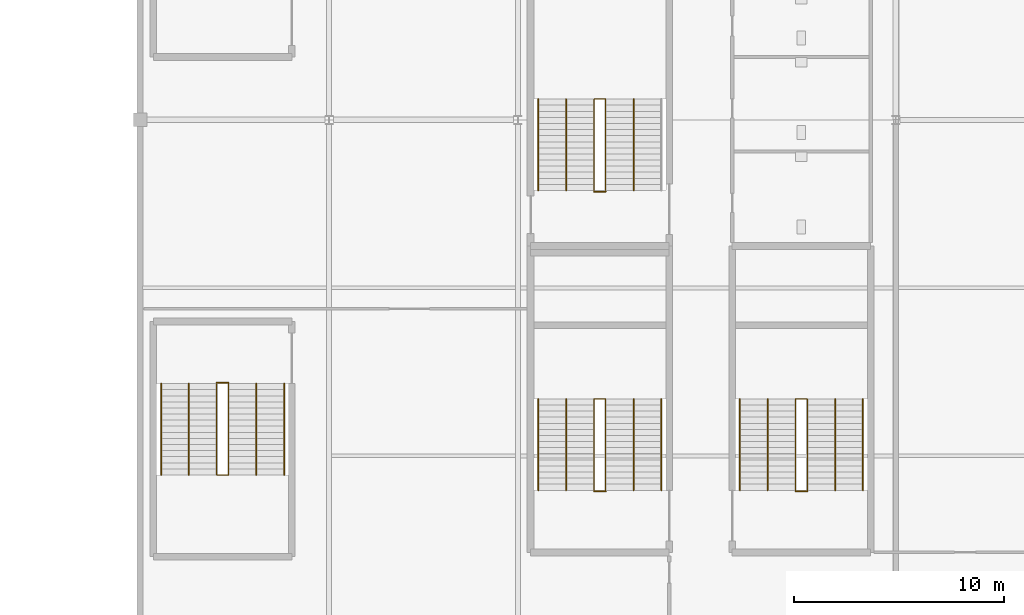
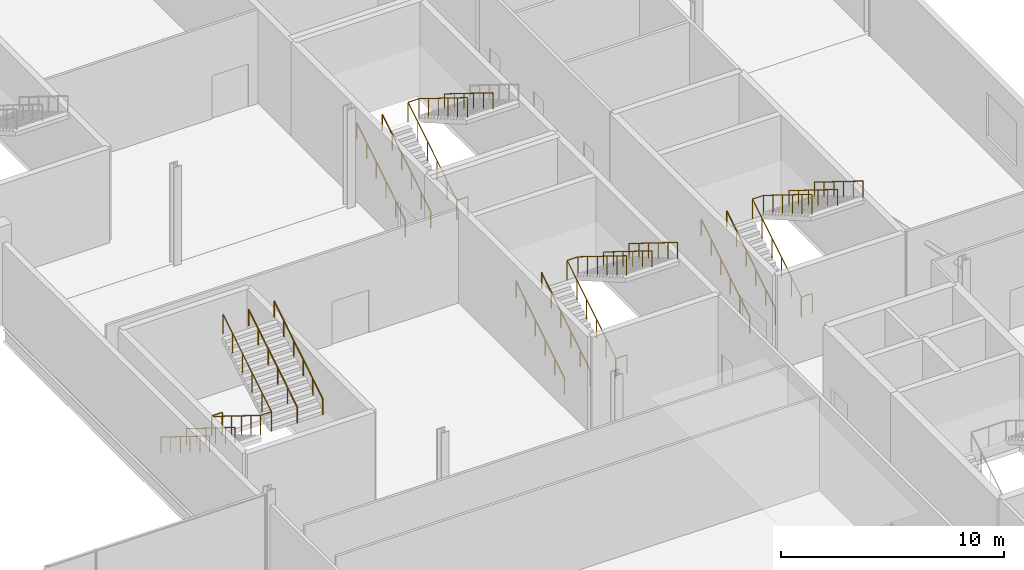
# One storey, part 106 of 111: 23 railings.
"""IFC4 building model written with IfcOpenShell, lengths in metres."""

from ifc_helpers import new_model, si_unit, direction, frame, origin, origin_2d, place, context, subcontext, project, spatial, circle, extrude, material, type_object, element, save


model = new_model("IFC4")

# Units and contexts
model_context = context("Model", 3, precision=1e-05, world=origin(), true_north=direction((0.0, 1.0)))
body_context = subcontext(model_context, "Body", "Model", "MODEL_VIEW")
ifc_project = project(units=[si_unit("LENGTHUNIT", "METRE"), si_unit("AREAUNIT", "SQUARE_METRE"), si_unit("VOLUMEUNIT", "CUBIC_METRE"), si_unit("PLANEANGLEUNIT", "RADIAN"), si_unit("MASSUNIT", "GRAM", prefix="KILO")], contexts=[model_context])

# Site, building, storey
site_placement = place(None, origin())
site = spatial("IfcSite", under=ifc_project, at=site_placement, CompositionType="ELEMENT")
building_placement = place(site_placement, origin())
building = spatial("IfcBuilding", under=site, at=building_placement, Name="Kisiwana Market Hall", CompositionType="ELEMENT")
storey_placement = place(building_placement, frame((0.0, 0.0, 11.39990234375)))
storey = spatial("IfcBuildingStorey", under=building, at=storey_placement, Name="L02", CompositionType="ELEMENT", Elevation=11.39990234375)

# Railings
ifc_material_1 = material(Name="Steel S275", Category="steel")
railing_type_1 = type_object("IfcRailingType", Name="RL-GUARD-1100", PredefinedType="GUARDRAIL", material=ifc_material_1)
railing_1_placement = place(storey_placement, frame((184.219970703125, 42.360107421875, 0.0)))
element("IfcRailing", 1, at=railing_1_placement, inside=storey, type_object=railing_type_1, Name="Stair ST-E3-L02 inner-well guardrail (RL-519)", PredefinedType="GUARDRAIL", context=body_context, shape_type="SweptSolid", body=[
    extrude(circle(Radius=0.02392578125, at=origin_2d()), frame((0.0, 0.0, 1.076171875), z_axis=(0.0, 0.849615114927, 0.52740322002), x_axis=(-1.0, 0.0, 0.0)), (0.0, 0.0, 1.0), 5.119873046875),
    extrude(circle(Radius=0.02392578125, at=origin_2d()), frame((0.0, 4.349853515625, 3.7763671875), z_axis=(1.0, 0.0, 0.0), x_axis=(0.0, 1.0, 0.0)), (0.0, 0.0, 1.0), 0.56005859375),
    extrude(circle(Radius=0.02392578125, at=origin_2d()), frame((0.56005859375, 4.349853515625, 3.7763671875), z_axis=(0.0, -0.849636482215, 0.527368797038), x_axis=(1.0, 0.0, 0.0)), (0.0, 0.0, 1.0), 5.11962890625),
    extrude(circle(Radius=0.02099609375, at=origin_2d()), origin(), (0.0, 0.0, 1.0), 1.052001953125),
    extrude(circle(Radius=0.02099609375, at=origin_2d()), frame((0.0, 0.869873046875, 0.5400390625)), (0.0, 0.0, 1.0), 1.052001953125),
    extrude(circle(Radius=0.02099609375, at=origin_2d()), frame((0.0, 1.739990234375, 1.080078125)), (0.0, 0.0, 1.0), 1.052001953125),
    extrude(circle(Radius=0.02099609375, at=origin_2d()), frame((0.0, 2.60986328125, 1.6201171875)), (0.0, 0.0, 1.0), 1.052001953125),
    extrude(circle(Radius=0.02099609375, at=origin_2d()), frame((0.0, 3.47998046875, 2.16015625)), (0.0, 0.0, 1.0), 1.052001953125),
    extrude(circle(Radius=0.02099609375, at=origin_2d()), frame((0.0, 4.349853515625, 2.7001953125)), (0.0, 0.0, 1.0), 1.052001953125),
    extrude(circle(Radius=0.02099609375, at=origin_2d()), frame((0.56005859375, 4.349853515625, 2.7001953125)), (0.0, 0.0, 1.0), 1.052001953125),
    extrude(circle(Radius=0.02099609375, at=origin_2d()), frame((0.56005859375, 3.47998046875, 3.240234375)), (0.0, 0.0, 1.0), 1.052001953125),
    extrude(circle(Radius=0.02099609375, at=origin_2d()), frame((0.56005859375, 2.60986328125, 3.7802734375)), (0.0, 0.0, 1.0), 1.052001953125),
    extrude(circle(Radius=0.02099609375, at=origin_2d()), frame((0.56005859375, 1.739990234375, 4.320068359375)), (0.0, 0.0, 1.0), 1.052001953125),
    extrude(circle(Radius=0.02099609375, at=origin_2d()), frame((0.56005859375, 0.869873046875, 4.860107421875)), (0.0, 0.0, 1.0), 1.052001953125),
    extrude(circle(Radius=0.02099609375, at=origin_2d()), frame((0.56005859375, 0.0, 5.400146484375)), (0.0, 0.0, 1.0), 1.052001953125),
])
railing_2_placement = place(storey_placement, frame((184.219970703125, 42.31005859375, 0.0)))
element("IfcRailing", 2, at=railing_2_placement, inside=storey, type_object=railing_type_1, Name="Stair ST-E3-L02 landing edge guardrail (RL-524)", PredefinedType="GUARDRAIL", context=body_context, shape_type="SweptSolid", body=[
    extrude(circle(Radius=0.02392578125, at=origin_2d()), frame((0.0, 0.0, 1.076171875), z_axis=(1.0, 0.0, 0.0), x_axis=(0.0, 1.0, 0.0)), (0.0, 0.0, 1.0), 0.56005859375),
    extrude(circle(Radius=0.02099609375, at=origin_2d()), origin(), (0.0, 0.0, 1.0), 1.052001953125),
    extrude(circle(Radius=0.02099609375, at=origin_2d()), frame((0.56005859375, 0.0, 0.0)), (0.0, 0.0, 1.0), 1.052001953125),
])
railing_3_placement = place(storey_placement, frame((174.6201171875, 42.360107421875, 0.0)))
element("IfcRailing", 3, at=railing_3_placement, inside=storey, type_object=railing_type_1, Name="Stair ST-E7-L02 inner-well guardrail (RL-537)", PredefinedType="GUARDRAIL", context=body_context, shape_type="SweptSolid", body=[
    extrude(circle(Radius=0.02392578125, at=origin_2d()), frame((0.0, 0.0, 1.076171875), z_axis=(0.0, 0.849615114927, 0.52740322002), x_axis=(-1.0, 0.0, 0.0)), (0.0, 0.0, 1.0), 5.119873046875),
    extrude(circle(Radius=0.02392578125, at=origin_2d()), frame((0.0, 4.349853515625, 3.7763671875), z_axis=(1.0, 0.0, 0.0), x_axis=(0.0, 1.0, 0.0)), (0.0, 0.0, 1.0), 0.559814453125),
    extrude(circle(Radius=0.02392578125, at=origin_2d()), frame((0.559814453125, 4.349853515625, 3.7763671875), z_axis=(0.0, -0.849636482215, 0.527368797038), x_axis=(1.0, 0.0, 0.0)), (0.0, 0.0, 1.0), 5.11962890625),
    extrude(circle(Radius=0.02099609375, at=origin_2d()), origin(), (0.0, 0.0, 1.0), 1.052001953125),
    extrude(circle(Radius=0.02099609375, at=origin_2d()), frame((0.0, 0.869873046875, 0.5400390625)), (0.0, 0.0, 1.0), 1.052001953125),
    extrude(circle(Radius=0.02099609375, at=origin_2d()), frame((0.0, 1.739990234375, 1.080078125)), (0.0, 0.0, 1.0), 1.052001953125),
    extrude(circle(Radius=0.02099609375, at=origin_2d()), frame((0.0, 2.60986328125, 1.6201171875)), (0.0, 0.0, 1.0), 1.052001953125),
    extrude(circle(Radius=0.02099609375, at=origin_2d()), frame((0.0, 3.47998046875, 2.16015625)), (0.0, 0.0, 1.0), 1.052001953125),
    extrude(circle(Radius=0.02099609375, at=origin_2d()), frame((0.0, 4.349853515625, 2.7001953125)), (0.0, 0.0, 1.0), 1.052001953125),
    extrude(circle(Radius=0.02099609375, at=origin_2d()), frame((0.559814453125, 4.349853515625, 2.7001953125)), (0.0, 0.0, 1.0), 1.052001953125),
    extrude(circle(Radius=0.02099609375, at=origin_2d()), frame((0.559814453125, 3.47998046875, 3.240234375)), (0.0, 0.0, 1.0), 1.052001953125),
    extrude(circle(Radius=0.02099609375, at=origin_2d()), frame((0.559814453125, 2.60986328125, 3.7802734375)), (0.0, 0.0, 1.0), 1.052001953125),
    extrude(circle(Radius=0.02099609375, at=origin_2d()), frame((0.559814453125, 1.739990234375, 4.320068359375)), (0.0, 0.0, 1.0), 1.052001953125),
    extrude(circle(Radius=0.02099609375, at=origin_2d()), frame((0.559814453125, 0.869873046875, 4.860107421875)), (0.0, 0.0, 1.0), 1.052001953125),
    extrude(circle(Radius=0.02099609375, at=origin_2d()), frame((0.559814453125, 0.0, 5.400146484375)), (0.0, 0.0, 1.0), 1.052001953125),
])
railing_4_placement = place(storey_placement, frame((174.6201171875, 42.31005859375, 0.0)))
element("IfcRailing", 4, at=railing_4_placement, inside=storey, type_object=railing_type_1, Name="Stair ST-E7-L02 landing edge guardrail (RL-542)", PredefinedType="GUARDRAIL", context=body_context, shape_type="SweptSolid", body=[
    extrude(circle(Radius=0.02392578125, at=origin_2d()), frame((0.0, 0.0, 1.076171875), z_axis=(1.0, 0.0, 0.0), x_axis=(0.0, 1.0, 0.0)), (0.0, 0.0, 1.0), 0.559814453125),
    extrude(circle(Radius=0.02099609375, at=origin_2d()), origin(), (0.0, 0.0, 1.0), 1.052001953125),
    extrude(circle(Radius=0.02099609375, at=origin_2d()), frame((0.559814453125, 0.0, 0.0)), (0.0, 0.0, 1.0), 1.052001953125),
])
railing_5_placement = place(storey_placement, frame((156.64990234375, 47.43994140625, 0.0)))
element("IfcRailing", 5, at=railing_5_placement, inside=storey, type_object=railing_type_1, Name="Stair ST-E9-L02 inner-well guardrail (RL-561)", PredefinedType="GUARDRAIL", context=body_context, shape_type="SweptSolid", body=[
    extrude(circle(Radius=0.02392578125, at=origin_2d()), frame((0.0, 0.0, 1.076171875), z_axis=(0.0, -0.849615114927, 0.52740322002), x_axis=(1.0, 0.0, 0.0)), (0.0, 0.0, 1.0), 5.119873046875),
    extrude(circle(Radius=0.02392578125, at=origin_2d()), frame((0.0, -4.349853515625, 3.7763671875), z_axis=(1.0, 0.0, 0.0), x_axis=(0.0, 1.0, 0.0)), (0.0, 0.0, 1.0), 0.56005859375),
    extrude(circle(Radius=0.02392578125, at=origin_2d()), frame((0.56005859375, -4.349853515625, 3.7763671875), z_axis=(0.0, 0.849636482215, 0.527368797038), x_axis=(-1.0, 0.0, 0.0)), (0.0, 0.0, 1.0), 5.11962890625),
    extrude(circle(Radius=0.02099609375, at=origin_2d()), origin(), (0.0, 0.0, 1.0), 1.052001953125),
    extrude(circle(Radius=0.02099609375, at=origin_2d()), frame((0.0, -0.869873046875, 0.5400390625)), (0.0, 0.0, 1.0), 1.052001953125),
    extrude(circle(Radius=0.02099609375, at=origin_2d()), frame((0.0, -1.739990234375, 1.080078125)), (0.0, 0.0, 1.0), 1.052001953125),
    extrude(circle(Radius=0.02099609375, at=origin_2d()), frame((0.0, -2.60986328125, 1.6201171875)), (0.0, 0.0, 1.0), 1.052001953125),
    extrude(circle(Radius=0.02099609375, at=origin_2d()), frame((0.0, -3.47998046875, 2.16015625)), (0.0, 0.0, 1.0), 1.052001953125),
    extrude(circle(Radius=0.02099609375, at=origin_2d()), frame((0.0, -4.349853515625, 2.7001953125)), (0.0, 0.0, 1.0), 1.052001953125),
    extrude(circle(Radius=0.02099609375, at=origin_2d()), frame((0.56005859375, -4.349853515625, 2.7001953125)), (0.0, 0.0, 1.0), 1.052001953125),
    extrude(circle(Radius=0.02099609375, at=origin_2d()), frame((0.56005859375, -3.47998046875, 3.240234375)), (0.0, 0.0, 1.0), 1.052001953125),
    extrude(circle(Radius=0.02099609375, at=origin_2d()), frame((0.56005859375, -2.60986328125, 3.7802734375)), (0.0, 0.0, 1.0), 1.052001953125),
    extrude(circle(Radius=0.02099609375, at=origin_2d()), frame((0.56005859375, -1.739990234375, 4.320068359375)), (0.0, 0.0, 1.0), 1.052001953125),
    extrude(circle(Radius=0.02099609375, at=origin_2d()), frame((0.56005859375, -0.869873046875, 4.860107421875)), (0.0, 0.0, 1.0), 1.052001953125),
    extrude(circle(Radius=0.02099609375, at=origin_2d()), frame((0.56005859375, 0.0, 5.400146484375)), (0.0, 0.0, 1.0), 1.052001953125),
])
railing_6_placement = place(storey_placement, frame((156.64990234375, 47.489990234375, 0.0)))
element("IfcRailing", 6, at=railing_6_placement, inside=storey, type_object=railing_type_1, Name="Stair ST-E9-L02 landing edge guardrail (RL-566)", PredefinedType="GUARDRAIL", context=body_context, shape_type="SweptSolid", body=[
    extrude(circle(Radius=0.02392578125, at=origin_2d()), frame((0.0, 0.0, 1.076171875), z_axis=(1.0, 0.0, 0.0), x_axis=(0.0, 1.0, 0.0)), (0.0, 0.0, 1.0), 0.56005859375),
    extrude(circle(Radius=0.02099609375, at=origin_2d()), origin(), (0.0, 0.0, 1.0), 1.052001953125),
    extrude(circle(Radius=0.02099609375, at=origin_2d()), frame((0.56005859375, 0.0, 0.0)), (0.0, 0.0, 1.0), 1.052001953125),
])
railing_7_placement = place(storey_placement, frame((174.6201171875, 56.639892578125, 0.0)))
element("IfcRailing", 7, at=railing_7_placement, inside=storey, type_object=railing_type_1, Name="Stair ST-E5-L02 inner-well guardrail (RL-585)", PredefinedType="GUARDRAIL", context=body_context, shape_type="SweptSolid", body=[
    extrude(circle(Radius=0.02392578125, at=origin_2d()), frame((0.0, 0.0, 1.076171875), z_axis=(0.0, 0.849628378081, 0.527381853271), x_axis=(-1.0, 0.0, 0.0)), (0.0, 0.0, 1.0), 5.1201171875),
    extrude(circle(Radius=0.02392578125, at=origin_2d()), frame((0.0, 4.35009765625, 3.7763671875), z_axis=(1.0, 0.0, 0.0), x_axis=(0.0, 1.0, 0.0)), (0.0, 0.0, 1.0), 0.559814453125),
    extrude(circle(Radius=0.02392578125, at=origin_2d()), frame((0.559814453125, 4.35009765625, 3.7763671875), z_axis=(0.0, -0.849649743971, 0.527347430608), x_axis=(1.0, 0.0, 0.0)), (0.0, 0.0, 1.0), 5.119873046875),
    extrude(circle(Radius=0.02099609375, at=origin_2d()), origin(), (0.0, 0.0, 1.0), 1.052001953125),
    extrude(circle(Radius=0.02099609375, at=origin_2d()), frame((0.0, 0.8701171875, 0.5400390625)), (0.0, 0.0, 1.0), 1.052001953125),
    extrude(circle(Radius=0.02099609375, at=origin_2d()), frame((0.0, 1.739990234375, 1.080078125)), (0.0, 0.0, 1.0), 1.052001953125),
    extrude(circle(Radius=0.02099609375, at=origin_2d()), frame((0.0, 2.610107421875, 1.6201171875)), (0.0, 0.0, 1.0), 1.052001953125),
    extrude(circle(Radius=0.02099609375, at=origin_2d()), frame((0.0, 3.47998046875, 2.16015625)), (0.0, 0.0, 1.0), 1.052001953125),
    extrude(circle(Radius=0.02099609375, at=origin_2d()), frame((0.0, 4.35009765625, 2.7001953125)), (0.0, 0.0, 1.0), 1.052001953125),
    extrude(circle(Radius=0.02099609375, at=origin_2d()), frame((0.559814453125, 4.35009765625, 2.7001953125)), (0.0, 0.0, 1.0), 1.052001953125),
    extrude(circle(Radius=0.02099609375, at=origin_2d()), frame((0.559814453125, 3.47998046875, 3.240234375)), (0.0, 0.0, 1.0), 1.052001953125),
    extrude(circle(Radius=0.02099609375, at=origin_2d()), frame((0.559814453125, 2.610107421875, 3.7802734375)), (0.0, 0.0, 1.0), 1.052001953125),
    extrude(circle(Radius=0.02099609375, at=origin_2d()), frame((0.559814453125, 1.739990234375, 4.320068359375)), (0.0, 0.0, 1.0), 1.052001953125),
    extrude(circle(Radius=0.02099609375, at=origin_2d()), frame((0.559814453125, 0.8701171875, 4.860107421875)), (0.0, 0.0, 1.0), 1.052001953125),
    extrude(circle(Radius=0.02099609375, at=origin_2d()), frame((0.559814453125, 0.0, 5.400146484375)), (0.0, 0.0, 1.0), 1.052001953125),
])
railing_8_placement = place(storey_placement, frame((174.6201171875, 56.590087890625, 0.0)))
element("IfcRailing", 8, at=railing_8_placement, inside=storey, type_object=railing_type_1, Name="Stair ST-E5-L02 landing edge guardrail (RL-590)", PredefinedType="GUARDRAIL", context=body_context, shape_type="SweptSolid", body=[
    extrude(circle(Radius=0.02392578125, at=origin_2d()), frame((0.0, 0.0, 1.076171875), z_axis=(1.0, 0.0, 0.0), x_axis=(0.0, 1.0, 0.0)), (0.0, 0.0, 1.0), 0.559814453125),
    extrude(circle(Radius=0.02099609375, at=origin_2d()), origin(), (0.0, 0.0, 1.0), 1.052001953125),
    extrude(circle(Radius=0.02099609375, at=origin_2d()), frame((0.559814453125, 0.0, 0.0)), (0.0, 0.0, 1.0), 1.052001953125),
])
ifc_material_2 = material(Name="Steel S275", Category="steel")
railing_type_2 = type_object("IfcRailingType", Name="RL-HAND-900", PredefinedType="HANDRAIL", material=ifc_material_2)
railing_9_placement = place(storey_placement, frame((181.570068359375, 42.360107421875, 0.0)))
element("IfcRailing", 9, at=railing_9_placement, inside=storey, type_object=railing_type_2, Name="Stair ST-E3-L02 flight 1 handrail (RL-520)", PredefinedType="HANDRAIL", context=body_context, shape_type="SweptSolid", body=[
    extrude(circle(Radius=0.02392578125, at=origin_2d()), frame((0.0, 0.0, 0.8759765625), z_axis=(0.0, 0.849615114927, 0.52740322002), x_axis=(-1.0, 0.0, 0.0)), (0.0, 0.0, 1.0), 5.119873046875),
    extrude(circle(Radius=0.02099609375, at=origin_2d()), origin(), (0.0, 0.0, 1.0), 0.851806640625),
    extrude(circle(Radius=0.02099609375, at=origin_2d()), frame((0.0, 0.869873046875, 0.5400390625)), (0.0, 0.0, 1.0), 0.851806640625),
    extrude(circle(Radius=0.02099609375, at=origin_2d()), frame((0.0, 1.739990234375, 1.080078125)), (0.0, 0.0, 1.0), 0.851806640625),
    extrude(circle(Radius=0.02099609375, at=origin_2d()), frame((0.0, 2.60986328125, 1.6201171875)), (0.0, 0.0, 1.0), 0.851806640625),
    extrude(circle(Radius=0.02099609375, at=origin_2d()), frame((0.0, 3.47998046875, 2.16015625)), (0.0, 0.0, 1.0), 0.851806640625),
    extrude(circle(Radius=0.02099609375, at=origin_2d()), frame((0.0, 4.349853515625, 2.7001953125)), (0.0, 0.0, 1.0), 0.851806640625),
])
railing_10_placement = place(storey_placement, frame((187.429931640625, 46.7099609375, 2.7001953125)))
element("IfcRailing", 10, at=railing_10_placement, inside=storey, type_object=railing_type_2, Name="Stair ST-E3-L02 flight 2 handrail (RL-521)", PredefinedType="HANDRAIL", context=body_context, shape_type="SweptSolid", body=[
    extrude(circle(Radius=0.02392578125, at=origin_2d()), frame((0.0, 0.0, 0.8759765625), z_axis=(0.0, -0.849636482215, 0.527368797038), x_axis=(1.0, 0.0, 0.0)), (0.0, 0.0, 1.0), 5.11962890625),
    extrude(circle(Radius=0.02099609375, at=origin_2d()), origin(), (0.0, 0.0, 1.0), 0.851806640625),
    extrude(circle(Radius=0.02099609375, at=origin_2d()), frame((0.0, -0.869873046875, 0.5400390625)), (0.0, 0.0, 1.0), 0.851806640625),
    extrude(circle(Radius=0.02099609375, at=origin_2d()), frame((0.0, -1.739990234375, 1.080078125)), (0.0, 0.0, 1.0), 0.851806640625),
    extrude(circle(Radius=0.02099609375, at=origin_2d()), frame((0.0, -2.60986328125, 1.619873046875)), (0.0, 0.0, 1.0), 0.851806640625),
    extrude(circle(Radius=0.02099609375, at=origin_2d()), frame((0.0, -3.47998046875, 2.159912109375)), (0.0, 0.0, 1.0), 0.851806640625),
    extrude(circle(Radius=0.02099609375, at=origin_2d()), frame((0.0, -4.349853515625, 2.699951171875)), (0.0, 0.0, 1.0), 0.851806640625),
])
railing_11_placement = place(storey_placement, frame((182.889892578125, 42.360107421875, 0.0)))
element("IfcRailing", 11, at=railing_11_placement, inside=storey, type_object=railing_type_2, Name="Stair ST-E3-L02 flight 1 intermediate handrail (RL-522)", PredefinedType="HANDRAIL", context=body_context, shape_type="SweptSolid", body=[
    extrude(circle(Radius=0.02392578125, at=origin_2d()), frame((0.0, 0.0, 0.8759765625), z_axis=(0.0, 0.849615114927, 0.52740322002), x_axis=(-1.0, 0.0, 0.0)), (0.0, 0.0, 1.0), 5.119873046875),
    extrude(circle(Radius=0.02099609375, at=origin_2d()), origin(), (0.0, 0.0, 1.0), 0.851806640625),
    extrude(circle(Radius=0.02099609375, at=origin_2d()), frame((0.0, 0.869873046875, 0.5400390625)), (0.0, 0.0, 1.0), 0.851806640625),
    extrude(circle(Radius=0.02099609375, at=origin_2d()), frame((0.0, 1.739990234375, 1.080078125)), (0.0, 0.0, 1.0), 0.851806640625),
    extrude(circle(Radius=0.02099609375, at=origin_2d()), frame((0.0, 2.60986328125, 1.6201171875)), (0.0, 0.0, 1.0), 0.851806640625),
    extrude(circle(Radius=0.02099609375, at=origin_2d()), frame((0.0, 3.47998046875, 2.16015625)), (0.0, 0.0, 1.0), 0.851806640625),
    extrude(circle(Radius=0.02099609375, at=origin_2d()), frame((0.0, 4.349853515625, 2.7001953125)), (0.0, 0.0, 1.0), 0.851806640625),
])
railing_12_placement = place(storey_placement, frame((186.110107421875, 46.7099609375, 2.7001953125)))
element("IfcRailing", 12, at=railing_12_placement, inside=storey, type_object=railing_type_2, Name="Stair ST-E3-L02 flight 2 intermediate handrail (RL-523)", PredefinedType="HANDRAIL", context=body_context, shape_type="SweptSolid", body=[
    extrude(circle(Radius=0.02392578125, at=origin_2d()), frame((0.0, 0.0, 0.8759765625), z_axis=(0.0, -0.849636482215, 0.527368797038), x_axis=(1.0, 0.0, 0.0)), (0.0, 0.0, 1.0), 5.11962890625),
    extrude(circle(Radius=0.02099609375, at=origin_2d()), origin(), (0.0, 0.0, 1.0), 0.851806640625),
    extrude(circle(Radius=0.02099609375, at=origin_2d()), frame((0.0, -0.869873046875, 0.5400390625)), (0.0, 0.0, 1.0), 0.851806640625),
    extrude(circle(Radius=0.02099609375, at=origin_2d()), frame((0.0, -1.739990234375, 1.080078125)), (0.0, 0.0, 1.0), 0.851806640625),
    extrude(circle(Radius=0.02099609375, at=origin_2d()), frame((0.0, -2.60986328125, 1.619873046875)), (0.0, 0.0, 1.0), 0.851806640625),
    extrude(circle(Radius=0.02099609375, at=origin_2d()), frame((0.0, -3.47998046875, 2.159912109375)), (0.0, 0.0, 1.0), 0.851806640625),
    extrude(circle(Radius=0.02099609375, at=origin_2d()), frame((0.0, -4.349853515625, 2.699951171875)), (0.0, 0.0, 1.0), 0.851806640625),
])
railing_13_placement = place(storey_placement, frame((171.969970703125, 42.360107421875, 0.0)))
element("IfcRailing", 13, at=railing_13_placement, inside=storey, type_object=railing_type_2, Name="Stair ST-E7-L02 flight 1 handrail (RL-538)", PredefinedType="HANDRAIL", context=body_context, shape_type="SweptSolid", body=[
    extrude(circle(Radius=0.02392578125, at=origin_2d()), frame((0.0, 0.0, 0.8759765625), z_axis=(0.0, 0.849615114927, 0.52740322002), x_axis=(-1.0, 0.0, 0.0)), (0.0, 0.0, 1.0), 5.119873046875),
    extrude(circle(Radius=0.02099609375, at=origin_2d()), origin(), (0.0, 0.0, 1.0), 0.851806640625),
    extrude(circle(Radius=0.02099609375, at=origin_2d()), frame((0.0, 0.869873046875, 0.5400390625)), (0.0, 0.0, 1.0), 0.851806640625),
    extrude(circle(Radius=0.02099609375, at=origin_2d()), frame((0.0, 1.739990234375, 1.080078125)), (0.0, 0.0, 1.0), 0.851806640625),
    extrude(circle(Radius=0.02099609375, at=origin_2d()), frame((0.0, 2.60986328125, 1.6201171875)), (0.0, 0.0, 1.0), 0.851806640625),
    extrude(circle(Radius=0.02099609375, at=origin_2d()), frame((0.0, 3.47998046875, 2.16015625)), (0.0, 0.0, 1.0), 0.851806640625),
    extrude(circle(Radius=0.02099609375, at=origin_2d()), frame((0.0, 4.349853515625, 2.7001953125)), (0.0, 0.0, 1.0), 0.851806640625),
])
railing_14_placement = place(storey_placement, frame((177.830078125, 46.7099609375, 2.7001953125)))
element("IfcRailing", 14, at=railing_14_placement, inside=storey, type_object=railing_type_2, Name="Stair ST-E7-L02 flight 2 handrail (RL-539)", PredefinedType="HANDRAIL", context=body_context, shape_type="SweptSolid", body=[
    extrude(circle(Radius=0.02392578125, at=origin_2d()), frame((0.0, 0.0, 0.8759765625), z_axis=(0.0, -0.849636482215, 0.527368797038), x_axis=(1.0, 0.0, 0.0)), (0.0, 0.0, 1.0), 5.11962890625),
    extrude(circle(Radius=0.02099609375, at=origin_2d()), origin(), (0.0, 0.0, 1.0), 0.851806640625),
    extrude(circle(Radius=0.02099609375, at=origin_2d()), frame((0.0, -0.869873046875, 0.5400390625)), (0.0, 0.0, 1.0), 0.851806640625),
    extrude(circle(Radius=0.02099609375, at=origin_2d()), frame((0.0, -1.739990234375, 1.080078125)), (0.0, 0.0, 1.0), 0.851806640625),
    extrude(circle(Radius=0.02099609375, at=origin_2d()), frame((0.0, -2.60986328125, 1.619873046875)), (0.0, 0.0, 1.0), 0.851806640625),
    extrude(circle(Radius=0.02099609375, at=origin_2d()), frame((0.0, -3.47998046875, 2.159912109375)), (0.0, 0.0, 1.0), 0.851806640625),
    extrude(circle(Radius=0.02099609375, at=origin_2d()), frame((0.0, -4.349853515625, 2.699951171875)), (0.0, 0.0, 1.0), 0.851806640625),
])
railing_15_placement = place(storey_placement, frame((173.2900390625, 42.360107421875, 0.0)))
element("IfcRailing", 15, at=railing_15_placement, inside=storey, type_object=railing_type_2, Name="Stair ST-E7-L02 flight 1 intermediate handrail (RL-540)", PredefinedType="HANDRAIL", context=body_context, shape_type="SweptSolid", body=[
    extrude(circle(Radius=0.02392578125, at=origin_2d()), frame((0.0, 0.0, 0.8759765625), z_axis=(0.0, 0.849615114927, 0.52740322002), x_axis=(-1.0, 0.0, 0.0)), (0.0, 0.0, 1.0), 5.119873046875),
    extrude(circle(Radius=0.02099609375, at=origin_2d()), origin(), (0.0, 0.0, 1.0), 0.851806640625),
    extrude(circle(Radius=0.02099609375, at=origin_2d()), frame((0.0, 0.869873046875, 0.5400390625)), (0.0, 0.0, 1.0), 0.851806640625),
    extrude(circle(Radius=0.02099609375, at=origin_2d()), frame((0.0, 1.739990234375, 1.080078125)), (0.0, 0.0, 1.0), 0.851806640625),
    extrude(circle(Radius=0.02099609375, at=origin_2d()), frame((0.0, 2.60986328125, 1.6201171875)), (0.0, 0.0, 1.0), 0.851806640625),
    extrude(circle(Radius=0.02099609375, at=origin_2d()), frame((0.0, 3.47998046875, 2.16015625)), (0.0, 0.0, 1.0), 0.851806640625),
    extrude(circle(Radius=0.02099609375, at=origin_2d()), frame((0.0, 4.349853515625, 2.7001953125)), (0.0, 0.0, 1.0), 0.851806640625),
])
railing_16_placement = place(storey_placement, frame((176.510009765625, 46.7099609375, 2.7001953125)))
element("IfcRailing", 16, at=railing_16_placement, inside=storey, type_object=railing_type_2, Name="Stair ST-E7-L02 flight 2 intermediate handrail (RL-541)", PredefinedType="HANDRAIL", context=body_context, shape_type="SweptSolid", body=[
    extrude(circle(Radius=0.02392578125, at=origin_2d()), frame((0.0, 0.0, 0.8759765625), z_axis=(0.0, -0.849636482215, 0.527368797038), x_axis=(1.0, 0.0, 0.0)), (0.0, 0.0, 1.0), 5.11962890625),
    extrude(circle(Radius=0.02099609375, at=origin_2d()), origin(), (0.0, 0.0, 1.0), 0.851806640625),
    extrude(circle(Radius=0.02099609375, at=origin_2d()), frame((0.0, -0.869873046875, 0.5400390625)), (0.0, 0.0, 1.0), 0.851806640625),
    extrude(circle(Radius=0.02099609375, at=origin_2d()), frame((0.0, -1.739990234375, 1.080078125)), (0.0, 0.0, 1.0), 0.851806640625),
    extrude(circle(Radius=0.02099609375, at=origin_2d()), frame((0.0, -2.60986328125, 1.619873046875)), (0.0, 0.0, 1.0), 0.851806640625),
    extrude(circle(Radius=0.02099609375, at=origin_2d()), frame((0.0, -3.47998046875, 2.159912109375)), (0.0, 0.0, 1.0), 0.851806640625),
    extrude(circle(Radius=0.02099609375, at=origin_2d()), frame((0.0, -4.349853515625, 2.699951171875)), (0.0, 0.0, 1.0), 0.851806640625),
])
railing_17_placement = place(storey_placement, frame((154.0, 47.43994140625, 0.0)))
element("IfcRailing", 17, at=railing_17_placement, inside=storey, type_object=railing_type_2, Name="Stair ST-E9-L02 flight 1 handrail (RL-562)", PredefinedType="HANDRAIL", context=body_context, shape_type="SweptSolid", body=[
    extrude(circle(Radius=0.02392578125, at=origin_2d()), frame((0.0, 0.0, 0.8759765625), z_axis=(0.0, -0.849615114927, 0.52740322002), x_axis=(1.0, 0.0, 0.0)), (0.0, 0.0, 1.0), 5.119873046875),
    extrude(circle(Radius=0.02099609375, at=origin_2d()), origin(), (0.0, 0.0, 1.0), 0.851806640625),
    extrude(circle(Radius=0.02099609375, at=origin_2d()), frame((0.0, -0.869873046875, 0.5400390625)), (0.0, 0.0, 1.0), 0.851806640625),
    extrude(circle(Radius=0.02099609375, at=origin_2d()), frame((0.0, -1.739990234375, 1.080078125)), (0.0, 0.0, 1.0), 0.851806640625),
    extrude(circle(Radius=0.02099609375, at=origin_2d()), frame((0.0, -2.60986328125, 1.6201171875)), (0.0, 0.0, 1.0), 0.851806640625),
    extrude(circle(Radius=0.02099609375, at=origin_2d()), frame((0.0, -3.47998046875, 2.16015625)), (0.0, 0.0, 1.0), 0.851806640625),
    extrude(circle(Radius=0.02099609375, at=origin_2d()), frame((0.0, -4.349853515625, 2.7001953125)), (0.0, 0.0, 1.0), 0.851806640625),
])
railing_18_placement = place(storey_placement, frame((159.860107421875, 43.090087890625, 2.7001953125)))
element("IfcRailing", 18, at=railing_18_placement, inside=storey, type_object=railing_type_2, Name="Stair ST-E9-L02 flight 2 handrail (RL-563)", PredefinedType="HANDRAIL", context=body_context, shape_type="SweptSolid", body=[
    extrude(circle(Radius=0.02392578125, at=origin_2d()), frame((0.0, 0.0, 0.8759765625), z_axis=(0.0, 0.849636482215, 0.527368797038), x_axis=(-1.0, 0.0, 0.0)), (0.0, 0.0, 1.0), 5.11962890625),
    extrude(circle(Radius=0.02099609375, at=origin_2d()), origin(), (0.0, 0.0, 1.0), 0.851806640625),
    extrude(circle(Radius=0.02099609375, at=origin_2d()), frame((0.0, 0.869873046875, 0.5400390625)), (0.0, 0.0, 1.0), 0.851806640625),
    extrude(circle(Radius=0.02099609375, at=origin_2d()), frame((0.0, 1.739990234375, 1.080078125)), (0.0, 0.0, 1.0), 0.851806640625),
    extrude(circle(Radius=0.02099609375, at=origin_2d()), frame((0.0, 2.60986328125, 1.619873046875)), (0.0, 0.0, 1.0), 0.851806640625),
    extrude(circle(Radius=0.02099609375, at=origin_2d()), frame((0.0, 3.47998046875, 2.159912109375)), (0.0, 0.0, 1.0), 0.851806640625),
    extrude(circle(Radius=0.02099609375, at=origin_2d()), frame((0.0, 4.349853515625, 2.699951171875)), (0.0, 0.0, 1.0), 0.851806640625),
])
railing_19_placement = place(storey_placement, frame((155.320068359375, 47.43994140625, 0.0)))
element("IfcRailing", 19, at=railing_19_placement, inside=storey, type_object=railing_type_2, Name="Stair ST-E9-L02 flight 1 intermediate handrail (RL-564)", PredefinedType="HANDRAIL", context=body_context, shape_type="SweptSolid", body=[
    extrude(circle(Radius=0.02392578125, at=origin_2d()), frame((0.0, 0.0, 0.8759765625), z_axis=(0.0, -0.849615114927, 0.52740322002), x_axis=(1.0, 0.0, 0.0)), (0.0, 0.0, 1.0), 5.119873046875),
    extrude(circle(Radius=0.02099609375, at=origin_2d()), origin(), (0.0, 0.0, 1.0), 0.851806640625),
    extrude(circle(Radius=0.02099609375, at=origin_2d()), frame((0.0, -0.869873046875, 0.5400390625)), (0.0, 0.0, 1.0), 0.851806640625),
    extrude(circle(Radius=0.02099609375, at=origin_2d()), frame((0.0, -1.739990234375, 1.080078125)), (0.0, 0.0, 1.0), 0.851806640625),
    extrude(circle(Radius=0.02099609375, at=origin_2d()), frame((0.0, -2.60986328125, 1.6201171875)), (0.0, 0.0, 1.0), 0.851806640625),
    extrude(circle(Radius=0.02099609375, at=origin_2d()), frame((0.0, -3.47998046875, 2.16015625)), (0.0, 0.0, 1.0), 0.851806640625),
    extrude(circle(Radius=0.02099609375, at=origin_2d()), frame((0.0, -4.349853515625, 2.7001953125)), (0.0, 0.0, 1.0), 0.851806640625),
])
railing_20_placement = place(storey_placement, frame((158.5400390625, 43.090087890625, 2.7001953125)))
element("IfcRailing", 20, at=railing_20_placement, inside=storey, type_object=railing_type_2, Name="Stair ST-E9-L02 flight 2 intermediate handrail (RL-565)", PredefinedType="HANDRAIL", context=body_context, shape_type="SweptSolid", body=[
    extrude(circle(Radius=0.02392578125, at=origin_2d()), frame((0.0, 0.0, 0.8759765625), z_axis=(0.0, 0.849636482215, 0.527368797038), x_axis=(-1.0, 0.0, 0.0)), (0.0, 0.0, 1.0), 5.11962890625),
    extrude(circle(Radius=0.02099609375, at=origin_2d()), origin(), (0.0, 0.0, 1.0), 0.851806640625),
    extrude(circle(Radius=0.02099609375, at=origin_2d()), frame((0.0, 0.869873046875, 0.5400390625)), (0.0, 0.0, 1.0), 0.851806640625),
    extrude(circle(Radius=0.02099609375, at=origin_2d()), frame((0.0, 1.739990234375, 1.080078125)), (0.0, 0.0, 1.0), 0.851806640625),
    extrude(circle(Radius=0.02099609375, at=origin_2d()), frame((0.0, 2.60986328125, 1.619873046875)), (0.0, 0.0, 1.0), 0.851806640625),
    extrude(circle(Radius=0.02099609375, at=origin_2d()), frame((0.0, 3.47998046875, 2.159912109375)), (0.0, 0.0, 1.0), 0.851806640625),
    extrude(circle(Radius=0.02099609375, at=origin_2d()), frame((0.0, 4.349853515625, 2.699951171875)), (0.0, 0.0, 1.0), 0.851806640625),
])
for number, where, name in (
    (21, (171.969970703125, 56.639892578125, 0.0), "Stair ST-E5-L02 flight 1 handrail (RL-586)"),
    (22, (173.2900390625, 56.639892578125, 0.0), "Stair ST-E5-L02 flight 1 intermediate handrail (RL-588)"),
):
    element("IfcRailing", number, at=place(storey_placement, frame(where)), inside=storey, type_object=railing_type_2, Name=name, PredefinedType="HANDRAIL", context=body_context, shape_type="SweptSolid", body=[
        extrude(circle(Radius=0.02392578125, at=origin_2d()), frame((0.0, 0.0, 0.8759765625), z_axis=(0.0, 0.849628378081, 0.527381853271), x_axis=(-1.0, 0.0, 0.0)), (0.0, 0.0, 1.0), 5.1201171875),
        extrude(circle(Radius=0.02099609375, at=origin_2d()), origin(), (0.0, 0.0, 1.0), 0.851806640625),
        extrude(circle(Radius=0.02099609375, at=origin_2d()), frame((0.0, 0.8701171875, 0.5400390625)), (0.0, 0.0, 1.0), 0.851806640625),
        extrude(circle(Radius=0.02099609375, at=origin_2d()), frame((0.0, 1.739990234375, 1.080078125)), (0.0, 0.0, 1.0), 0.851806640625),
        extrude(circle(Radius=0.02099609375, at=origin_2d()), frame((0.0, 2.610107421875, 1.6201171875)), (0.0, 0.0, 1.0), 0.851806640625),
        extrude(circle(Radius=0.02099609375, at=origin_2d()), frame((0.0, 3.47998046875, 2.16015625)), (0.0, 0.0, 1.0), 0.851806640625),
        extrude(circle(Radius=0.02099609375, at=origin_2d()), frame((0.0, 4.35009765625, 2.7001953125)), (0.0, 0.0, 1.0), 0.851806640625),
    ])
railing_21_placement = place(storey_placement, frame((176.510009765625, 60.989990234375, 2.7001953125)))
element("IfcRailing", 23, at=railing_21_placement, inside=storey, type_object=railing_type_2, Name="Stair ST-E5-L02 flight 2 intermediate handrail (RL-589)", PredefinedType="HANDRAIL", context=body_context, shape_type="SweptSolid", body=[
    extrude(circle(Radius=0.02392578125, at=origin_2d()), frame((0.0, 0.0, 0.8759765625), z_axis=(0.0, -0.849649743971, 0.527347430608), x_axis=(1.0, 0.0, 0.0)), (0.0, 0.0, 1.0), 5.119873046875),
    extrude(circle(Radius=0.02099609375, at=origin_2d()), origin(), (0.0, 0.0, 1.0), 0.851806640625),
    extrude(circle(Radius=0.02099609375, at=origin_2d()), frame((0.0, -0.8701171875, 0.5400390625)), (0.0, 0.0, 1.0), 0.851806640625),
    extrude(circle(Radius=0.02099609375, at=origin_2d()), frame((0.0, -1.739990234375, 1.080078125)), (0.0, 0.0, 1.0), 0.851806640625),
    extrude(circle(Radius=0.02099609375, at=origin_2d()), frame((0.0, -2.610107421875, 1.619873046875)), (0.0, 0.0, 1.0), 0.851806640625),
    extrude(circle(Radius=0.02099609375, at=origin_2d()), frame((0.0, -3.47998046875, 2.159912109375)), (0.0, 0.0, 1.0), 0.851806640625),
    extrude(circle(Radius=0.02099609375, at=origin_2d()), frame((0.0, -4.35009765625, 2.699951171875)), (0.0, 0.0, 1.0), 0.851806640625),
])

save(model, "model.ifc")
